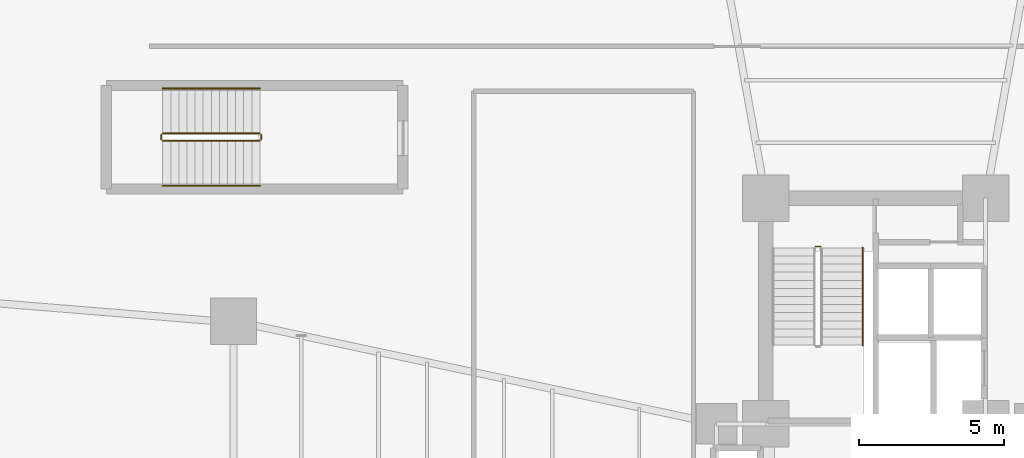
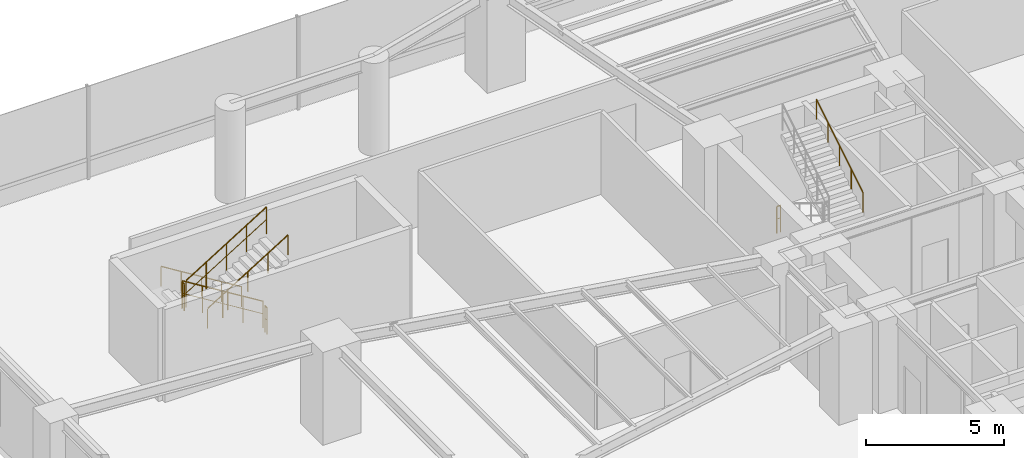
# One storey, part 22 of 23: 8 railings.
"""IFC4 building model written with IfcOpenShell, lengths in metres."""

from ifc_helpers import new_model, si_unit, direction, frame, origin, origin_2d, place, context, subcontext, project, spatial, circle, extrude, material, type_object, element, save


model = new_model("IFC4")

# Units and contexts
model_context = context("Model", 3, precision=1e-05, world=origin(), true_north=direction((0.0, 1.0)))
body_context = subcontext(model_context, "Body", "Model", "MODEL_VIEW")
ifc_project = project(units=[si_unit("LENGTHUNIT", "METRE"), si_unit("AREAUNIT", "SQUARE_METRE"), si_unit("VOLUMEUNIT", "CUBIC_METRE"), si_unit("PLANEANGLEUNIT", "RADIAN"), si_unit("MASSUNIT", "GRAM", prefix="KILO")], contexts=[model_context])

# Site, building, storey
site_placement = place(None, origin())
site = spatial("IfcSite", under=ifc_project, at=site_placement, CompositionType="ELEMENT")
building_placement = place(site_placement, origin())
building = spatial("IfcBuilding", under=site, at=building_placement, Name="Sahyath Konkavel Grand Hotel", CompositionType="ELEMENT")
storey_placement = place(building_placement, frame((0.0, 0.0, 4.800048828125)))
storey = spatial("IfcBuildingStorey", under=building, at=storey_placement, Name="L01", CompositionType="ELEMENT", Elevation=4.800048828125)

# Railings
ifc_material_1 = material(Name="Steel E350", Category="steel")
railing_type_1 = type_object("IfcRailingType", Name="RLG-STAIR-GRD", PredefinedType="GUARDRAIL", material=ifc_material_1)
railing_1_placement = place(storey_placement, frame((-2.080078125, 8.530029296875, 0.0)))
element("IfcRailing", 1, at=railing_1_placement, inside=storey, type_object=railing_type_1, Name="L01 ST-1 stair guard 4", PredefinedType="GUARDRAIL", context=body_context, shape_type="SweptSolid", body=[
    extrude(circle(Radius=0.02392578125, at=origin_2d()), frame((0.001953125, 0.0, 1.17578125), z_axis=(1.0, 0.0, 0.0), x_axis=(0.0, 1.0, 0.0)), (0.0, 0.0, 1.0), 0.15625),
    extrude(circle(Radius=0.01416015625, at=origin_2d()), frame((0.001953125, 0.0, 0.6240234375), z_axis=(1.0, 0.0, 0.0), x_axis=(0.0, 1.0, 0.0)), (0.0, 0.0, 1.0), 0.15625),
    extrude(circle(Radius=0.02099609375, at=origin_2d()), origin(), (0.0, 0.0, 1.0), 1.15185546875),
    extrude(circle(Radius=0.02099609375, at=origin_2d()), frame((0.16015625, 0.0, 0.0)), (0.0, 0.0, 1.0), 1.15185546875),
])
railing_2_placement = place(storey_placement, frame((-21.2900390625, 12.43994140625, 0.173095703125)))
element("IfcRailing", 2, at=railing_2_placement, inside=storey, type_object=railing_type_1, Name="L01 ST-P1 stair guard 1", PredefinedType="GUARDRAIL", context=body_context, shape_type="SweptSolid", body=[
    extrude(circle(Radius=0.02392578125, at=origin_2d()), frame((-0.001708984375, 0.0, 1.177001953125), z_axis=(-0.850606129759, 0.0, 0.525803396734), x_axis=(0.0, -1.0, 0.0)), (0.0, 0.0, 1.0), 3.946044921875),
    extrude(circle(Radius=0.01416015625, at=origin_2d()), frame((-0.001708984375, 0.0, 0.625), z_axis=(-0.850606129759, 0.0, 0.525803396734), x_axis=(0.0, -1.0, 0.0)), (0.0, 0.0, 1.0), 3.946044921875),
    extrude(circle(Radius=0.02099609375, at=origin_2d()), origin(), (0.0, 0.0, 1.0), 1.15185546875),
    extrude(circle(Radius=0.02099609375, at=origin_2d()), frame((-0.83984375, 0.0, 0.519287109375)), (0.0, 0.0, 1.0), 1.15185546875),
    extrude(circle(Radius=0.02099609375, at=origin_2d()), frame((-1.679931640625, 0.0, 1.03857421875)), (0.0, 0.0, 1.0), 1.15185546875),
    extrude(circle(Radius=0.02099609375, at=origin_2d()), frame((-2.52001953125, 0.0, 1.5576171875)), (0.0, 0.0, 1.0), 1.15185546875),
    extrude(circle(Radius=0.02099609375, at=origin_2d()), frame((-3.35986328125, 0.0, 2.076904296875)), (0.0, 0.0, 1.0), 1.15185546875),
])
railing_3_placement = place(storey_placement, frame((-24.699951171875, 12.389892578125, 2.25)))
element("IfcRailing", 3, at=railing_3_placement, inside=storey, type_object=railing_type_1, Name="L01 ST-P1 stair guard 2", PredefinedType="GUARDRAIL", context=body_context, shape_type="SweptSolid", body=[
    extrude(circle(Radius=0.02392578125, at=origin_2d()), frame((0.0, -0.001953125, 1.17578125), z_axis=(0.0, -1.0, 0.0), x_axis=(1.0, 0.0, 0.0)), (0.0, 0.0, 1.0), 0.156005859375),
    extrude(circle(Radius=0.01416015625, at=origin_2d()), frame((0.0, -0.001953125, 0.6240234375), z_axis=(0.0, -1.0, 0.0), x_axis=(1.0, 0.0, 0.0)), (0.0, 0.0, 1.0), 0.156005859375),
    extrude(circle(Radius=0.02099609375, at=origin_2d()), origin(), (0.0, 0.0, 1.0), 1.15185546875),
    extrude(circle(Radius=0.02099609375, at=origin_2d()), frame((0.0, -0.159912109375, 0.0)), (0.0, 0.0, 1.0), 1.15185546875),
])
railing_4_placement = place(storey_placement, frame((-24.64990234375, 12.179931640625, 2.423095703125)))
element("IfcRailing", 4, at=railing_4_placement, inside=storey, type_object=railing_type_1, Name="L01 ST-P1 stair guard 3", PredefinedType="GUARDRAIL", context=body_context, shape_type="SweptSolid", body=[
    extrude(circle(Radius=0.02392578125, at=origin_2d()), frame((0.001708984375, 0.0, 1.177001953125), z_axis=(0.850606129759, 0.0, 0.525803396734), x_axis=(0.0, 1.0, 0.0)), (0.0, 0.0, 1.0), 3.946044921875),
    extrude(circle(Radius=0.01416015625, at=origin_2d()), frame((0.001708984375, 0.0, 0.625), z_axis=(0.850606129759, 0.0, 0.525803396734), x_axis=(0.0, 1.0, 0.0)), (0.0, 0.0, 1.0), 3.946044921875),
    extrude(circle(Radius=0.02099609375, at=origin_2d()), origin(), (0.0, 0.0, 1.0), 1.15185546875),
    extrude(circle(Radius=0.02099609375, at=origin_2d()), frame((0.83984375, 0.0, 0.519287109375)), (0.0, 0.0, 1.0), 1.15185546875),
    extrude(circle(Radius=0.02099609375, at=origin_2d()), frame((1.679931640625, 0.0, 1.03857421875)), (0.0, 0.0, 1.0), 1.15185546875),
    extrude(circle(Radius=0.02099609375, at=origin_2d()), frame((2.52001953125, 0.0, 1.5576171875)), (0.0, 0.0, 1.0), 1.15185546875),
    extrude(circle(Radius=0.02099609375, at=origin_2d()), frame((3.35986328125, 0.0, 2.076904296875)), (0.0, 0.0, 1.0), 1.15185546875),
])
railing_5_placement = place(storey_placement, frame((-21.239990234375, 12.389892578125, 0.0)))
element("IfcRailing", 5, at=railing_5_placement, inside=storey, type_object=railing_type_1, Name="L01 ST-P1 stair guard 4", PredefinedType="GUARDRAIL", context=body_context, shape_type="SweptSolid", body=[
    extrude(circle(Radius=0.02392578125, at=origin_2d()), frame((0.0, -0.001953125, 1.17578125), z_axis=(0.0, -1.0, 0.0), x_axis=(1.0, 0.0, 0.0)), (0.0, 0.0, 1.0), 0.156005859375),
    extrude(circle(Radius=0.01416015625, at=origin_2d()), frame((0.0, -0.001953125, 0.6240234375), z_axis=(0.0, -1.0, 0.0), x_axis=(1.0, 0.0, 0.0)), (0.0, 0.0, 1.0), 0.156005859375),
    extrude(circle(Radius=0.02099609375, at=origin_2d()), origin(), (0.0, 0.0, 1.0), 1.15185546875),
    extrude(circle(Radius=0.02099609375, at=origin_2d()), frame((0.0, -0.159912109375, 0.0)), (0.0, 0.0, 1.0), 1.15185546875),
])
ifc_material_2 = material(Name="Anodised Bronze Aluminium", Category="aluminium")
railing_type_2 = type_object("IfcRailingType", Name="RLG-STAIR-HND", PredefinedType="HANDRAIL", material=ifc_material_2)
railing_6_placement = place(storey_placement, frame((-0.449951171875, 5.1201171875, 2.423095703125)))
element("IfcRailing", 6, at=railing_6_placement, inside=storey, type_object=railing_type_2, Name="L01 ST-1 stair handrail 2", PredefinedType="HANDRAIL", context=body_context, shape_type="SweptSolid", body=[
    extrude(circle(Radius=0.02392578125, at=origin_2d()), frame((0.0, 0.001708984375, 0.876953125), z_axis=(0.0, 0.850606129759, 0.525803396734), x_axis=(-1.0, 0.0, 0.0)), (0.0, 0.0, 1.0), 3.946044921875),
    extrude(circle(Radius=0.02099609375, at=origin_2d()), origin(), (0.0, 0.0, 1.0), 0.851806640625),
    extrude(circle(Radius=0.02099609375, at=origin_2d()), frame((0.0, 0.83984375, 0.519287109375)), (0.0, 0.0, 1.0), 0.851806640625),
    extrude(circle(Radius=0.02099609375, at=origin_2d()), frame((0.0, 1.679931640625, 1.03857421875)), (0.0, 0.0, 1.0), 0.851806640625),
    extrude(circle(Radius=0.02099609375, at=origin_2d()), frame((0.0, 2.52001953125, 1.5576171875)), (0.0, 0.0, 1.0), 0.851806640625),
    extrude(circle(Radius=0.02099609375, at=origin_2d()), frame((0.0, 3.35986328125, 2.076904296875)), (0.0, 0.0, 1.0), 0.851806640625),
])
railing_7_placement = place(storey_placement, frame((-21.2900390625, 13.989990234375, 0.173095703125)))
element("IfcRailing", 7, at=railing_7_placement, inside=storey, type_object=railing_type_2, Name="L01 ST-P1 stair handrail 1", PredefinedType="HANDRAIL", context=body_context, shape_type="SweptSolid", body=[
    extrude(circle(Radius=0.02392578125, at=origin_2d()), frame((-0.001708984375, 0.0, 0.876953125), z_axis=(-0.850606129759, 0.0, 0.525803396734), x_axis=(0.0, -1.0, 0.0)), (0.0, 0.0, 1.0), 3.946044921875),
    extrude(circle(Radius=0.02099609375, at=origin_2d()), origin(), (0.0, 0.0, 1.0), 0.851806640625),
    extrude(circle(Radius=0.02099609375, at=origin_2d()), frame((-0.83984375, 0.0, 0.519287109375)), (0.0, 0.0, 1.0), 0.851806640625),
    extrude(circle(Radius=0.02099609375, at=origin_2d()), frame((-1.679931640625, 0.0, 1.03857421875)), (0.0, 0.0, 1.0), 0.851806640625),
    extrude(circle(Radius=0.02099609375, at=origin_2d()), frame((-2.52001953125, 0.0, 1.5576171875)), (0.0, 0.0, 1.0), 0.851806640625),
    extrude(circle(Radius=0.02099609375, at=origin_2d()), frame((-3.35986328125, 0.0, 2.076904296875)), (0.0, 0.0, 1.0), 0.851806640625),
])
railing_8_placement = place(storey_placement, frame((-24.64990234375, 10.6298828125, 2.423095703125)))
element("IfcRailing", 8, at=railing_8_placement, inside=storey, type_object=railing_type_2, Name="L01 ST-P1 stair handrail 2", PredefinedType="HANDRAIL", context=body_context, shape_type="SweptSolid", body=[
    extrude(circle(Radius=0.02392578125, at=origin_2d()), frame((0.001708984375, 0.0, 0.876953125), z_axis=(0.850606129759, 0.0, 0.525803396734), x_axis=(0.0, 1.0, 0.0)), (0.0, 0.0, 1.0), 3.946044921875),
    extrude(circle(Radius=0.02099609375, at=origin_2d()), origin(), (0.0, 0.0, 1.0), 0.851806640625),
    extrude(circle(Radius=0.02099609375, at=origin_2d()), frame((0.83984375, 0.0, 0.519287109375)), (0.0, 0.0, 1.0), 0.851806640625),
    extrude(circle(Radius=0.02099609375, at=origin_2d()), frame((1.679931640625, 0.0, 1.03857421875)), (0.0, 0.0, 1.0), 0.851806640625),
    extrude(circle(Radius=0.02099609375, at=origin_2d()), frame((2.52001953125, 0.0, 1.5576171875)), (0.0, 0.0, 1.0), 0.851806640625),
    extrude(circle(Radius=0.02099609375, at=origin_2d()), frame((3.35986328125, 0.0, 2.076904296875)), (0.0, 0.0, 1.0), 0.851806640625),
])

save(model, "model.ifc")
